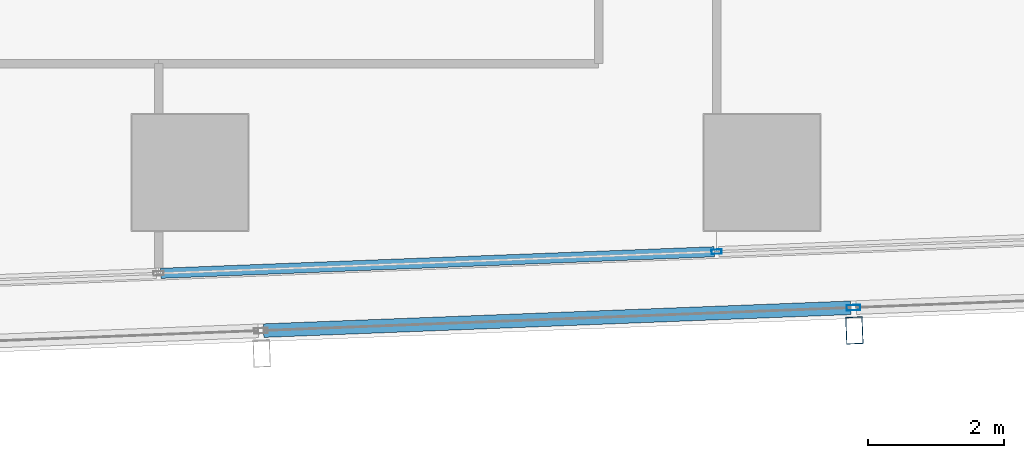
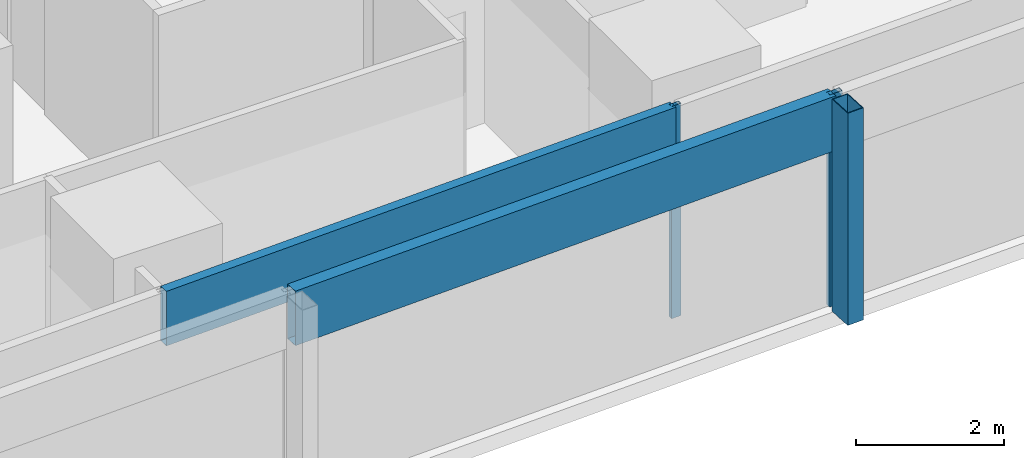
# One storey, part 11 of 40: 5 members, 2 elements without a shape of their own.
"""IFC4 building model written with IfcOpenShell, lengths in metres."""

from ifc_helpers import new_model, si_unit, direction, frame, origin, origin_2d, place, context, subcontext, project, spatial, hollow_rectangle, extrude, material, material_profile, profile_set, type_object, element, aggregate, save


model = new_model("IFC4")

# Units and contexts
model_context = context("Model", 3, precision=1e-05, world=origin(), true_north=direction((0.0, 1.0)))
body_context = subcontext(model_context, "Body", "Model", "MODEL_VIEW")
ifc_project = project(units=[si_unit("LENGTHUNIT", "METRE"), si_unit("AREAUNIT", "SQUARE_METRE"), si_unit("VOLUMEUNIT", "CUBIC_METRE"), si_unit("PLANEANGLEUNIT", "RADIAN"), si_unit("MASSUNIT", "GRAM", prefix="KILO")], contexts=[model_context])

# Site, building, storey
site_placement = place(None, origin())
site = spatial("IfcSite", under=ifc_project, at=site_placement, CompositionType="ELEMENT")
building_placement = place(site_placement, origin())
building = spatial("IfcBuilding", under=site, at=building_placement, Name="Rekha Terrace Tower", CompositionType="ELEMENT")
storey_placement = place(building_placement, frame((0.0, 0.0, 132.800048828125)))
storey = spatial("IfcBuildingStorey", under=building, at=storey_placement, Name="L33", CompositionType="ELEMENT", Elevation=132.800048828125)

# Curtain wall, member
ifc_material_1 = material(Name="Aluminium framing", Category="aluminium")
curtain_wall_type_1 = type_object("IfcCurtainWallType", Name="CW2 double skin outer glazing", PredefinedType="USERDEFINED", material=ifc_material_1)
curtain_wall_1_placement = place(storey_placement, origin())
curtain_wall_1 = element("IfcCurtainWall", 1, at=curtain_wall_1_placement, inside=storey, type_object=curtain_wall_type_1, Name="CW2 double skin outer glazing", ObjectType="DOUBLE SKIN OUTER GLAZING", PredefinedType="USERDEFINED")
ifc_material_2 = material(Name="Steel S355 with fluorocarbon finish", Category="steel")
ifc_material_profile_1 = material_profile(ifc_material_2, hollow_rectangle(XDim=0.25, YDim=0.39990234375, WallThickness=0.012451171875, at=origin_2d()), Name="RHS400x250x12.5")
ifc_profile_set_1 = profile_set([ifc_material_profile_1], Name="Steel S355 with fluorocarbon finish")
member_type_1 = type_object("IfcMemberType", Name="BL1 facade blade RHS 400 x 250", PredefinedType="USERDEFINED", material=ifc_profile_set_1)
member_1_placement = place(storey_placement, frame((60.1572265625, 14.480712890625, 0.0), z_axis=(0.0, 0.0, 1.0), x_axis=(0.999243494356, 0.038890088543, 0.0)))
member_1 = element("IfcMember", 2, at=member_1_placement, type_object=member_type_1, Name="Facade blade", ObjectType="FACADE BLADE", PredefinedType="USERDEFINED", context=body_context, shape_type="SweptSolid", body=[
    extrude(hollow_rectangle(XDim=0.25, YDim=0.39990234375, WallThickness=0.012451171875, at=origin_2d()), origin(), (0.0, 0.0, 1.0), 3.5),
])

# Curtain wall, members
curtain_wall_type_2 = type_object("IfcCurtainWallType", Name="CW1 double skin inner glazing", PredefinedType="USERDEFINED", material=ifc_material_1)
curtain_wall_2_placement = place(storey_placement, origin())
curtain_wall_2 = element("IfcCurtainWall", 3, at=curtain_wall_2_placement, inside=storey, type_object=curtain_wall_type_2, Name="CW1 double skin inner glazing", ObjectType="DOUBLE SKIN INNER GLAZING", PredefinedType="USERDEFINED")
ifc_material_3 = material(Name="Aluminium mullion section", Category="aluminium")
ifc_material_profile_2 = material_profile(ifc_material_3, hollow_rectangle(XDim=0.06494140625, YDim=0.14990234375, WallThickness=0.00390625, at=origin_2d()), Name="AL RHS 65x150")
ifc_profile_set_2 = profile_set([ifc_material_profile_2], Name="Aluminium mullion section")
member_type_2 = type_object("IfcMemberType", Name="CW1 mullion RHS 65 x 150", PredefinedType="MULLION", material=ifc_profile_set_2)
member_2_placement = place(storey_placement, frame((58.13330078125, 15.637939453125, 0.0), z_axis=(0.0, 0.0, 1.0), x_axis=(-0.038889971345, 0.999243498917, 0.0)))
member_2 = element("IfcMember", 4, at=member_2_placement, type_object=member_type_2, Name="CW1 mullion 5", PredefinedType="MULLION", context=body_context, shape_type="SweptSolid", body=[
    extrude(hollow_rectangle(XDim=0.06494140625, YDim=0.14990234375, WallThickness=0.00390625, at=origin_2d()), origin(), (0.0, 0.0, 1.0), 3.5),
])
ifc_material_4 = material(Name="Insulated aluminium spandrel box", Category="aluminium")
ifc_material_profile_3 = material_profile(ifc_material_4, hollow_rectangle(XDim=0.14990234375, YDim=0.89990234375, WallThickness=0.0029296875, at=origin_2d()), Name="AL SPANDREL BOX 150x900")
ifc_profile_set_3 = profile_set([ifc_material_profile_3], Name="Insulated aluminium spandrel box")
member_type_3 = type_object("IfcMemberType", Name="CW1 spandrel transom 150 x 900", PredefinedType="USERDEFINED", material=ifc_profile_set_3)
member_3_placement = place(storey_placement, frame((49.96923828125, 15.320068359375, 3.050048828125), z_axis=(0.999242669674, 0.038911272182, 0.0), x_axis=(-0.038911272182, 0.999242669674, 0.0)))
member_3 = element("IfcMember", 5, at=member_3_placement, type_object=member_type_3, Name="CW1 spandrel transom 4", ObjectType="TRANSOM", PredefinedType="USERDEFINED", context=body_context, shape_type="SweptSolid", body=[
    extrude(hollow_rectangle(XDim=0.14990234375, YDim=0.89990234375, WallThickness=0.0029296875, at=origin_2d()), origin(), (0.0, 0.0, 1.0), 8.1376953125),
])
aggregate(curtain_wall_2, [member_2, member_3])

# Member
ifc_material_profile_4 = material_profile(ifc_material_3, hollow_rectangle(XDim=0.080078125, YDim=0.199951171875, WallThickness=0.00390625, at=origin_2d()), Name="AL RHS 80x200")
ifc_profile_set_4 = profile_set([ifc_material_profile_4], Name="Aluminium mullion section")
member_type_4 = type_object("IfcMemberType", Name="CW2 mullion RHS 80 x 200", PredefinedType="MULLION", material=ifc_profile_set_4)
member_4_placement = place(storey_placement, frame((60.14404296875, 14.8154296875, 0.0), z_axis=(0.0, 0.0, 1.0), x_axis=(-0.038889971345, 0.999243498917, 0.0)))
member_4 = element("IfcMember", 6, at=member_4_placement, type_object=member_type_4, Name="CW2 mullion 5", PredefinedType="MULLION", context=body_context, shape_type="SweptSolid", body=[
    extrude(hollow_rectangle(XDim=0.080078125, YDim=0.199951171875, WallThickness=0.00390625, at=origin_2d()), origin(), (0.0, 0.0, 1.0), 3.5),
])

ifc_material_profile_5 = material_profile(ifc_material_4, hollow_rectangle(XDim=0.199951171875, YDim=0.89990234375, WallThickness=0.0029296875, at=origin_2d()), Name="AL SPANDREL BOX 200x900")
ifc_profile_set_5 = profile_set([ifc_material_profile_5], Name="Insulated aluminium spandrel box")
member_type_5 = type_object("IfcMemberType", Name="CW2 spandrel transom 200 x 900", PredefinedType="USERDEFINED", material=ifc_profile_set_5)
member_5_placement = place(storey_placement, frame((51.47900390625, 14.478271484375, 3.050048828125), z_axis=(0.999243481303, 0.038890423923, 0.0), x_axis=(-0.038890423923, 0.999243481303, 0.0)))
member_5 = element("IfcMember", 7, at=member_5_placement, type_object=member_type_5, Name="CW2 spandrel transom 4", ObjectType="TRANSOM", PredefinedType="USERDEFINED", context=body_context, shape_type="SweptSolid", body=[
    extrude(hollow_rectangle(XDim=0.199951171875, YDim=0.89990234375, WallThickness=0.0029296875, at=origin_2d()), origin(), (0.0, 0.0, 1.0), 8.6318359375),
])

aggregate(curtain_wall_1, [member_4, member_5, member_1])

save(model, "model.ifc")
